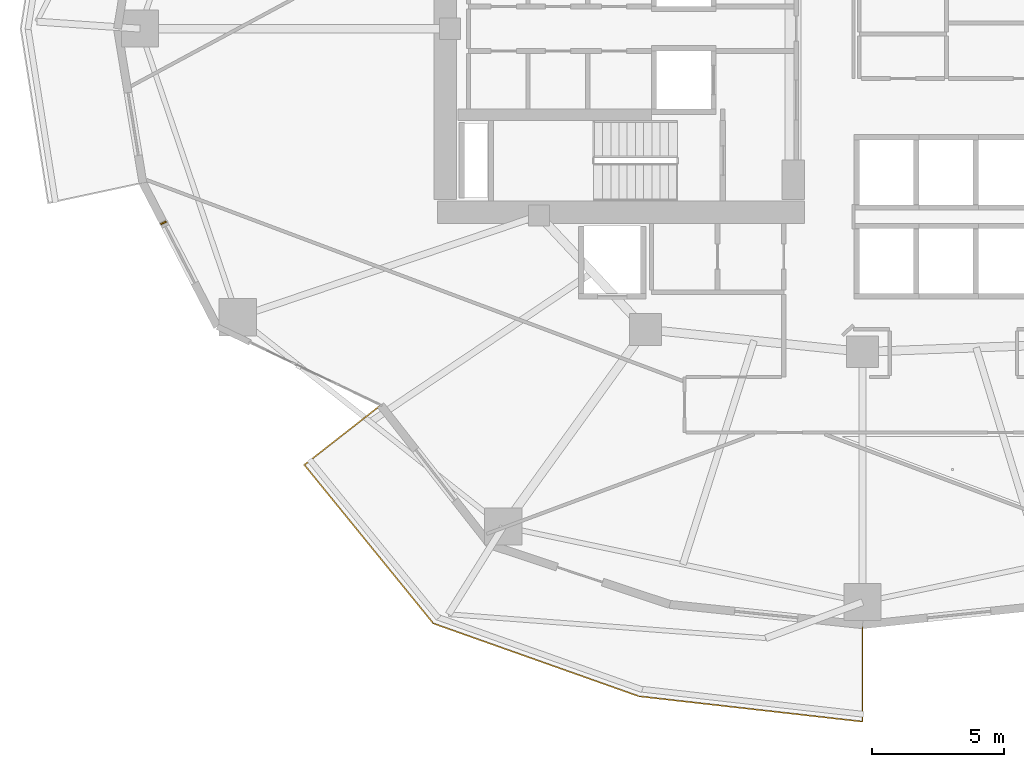
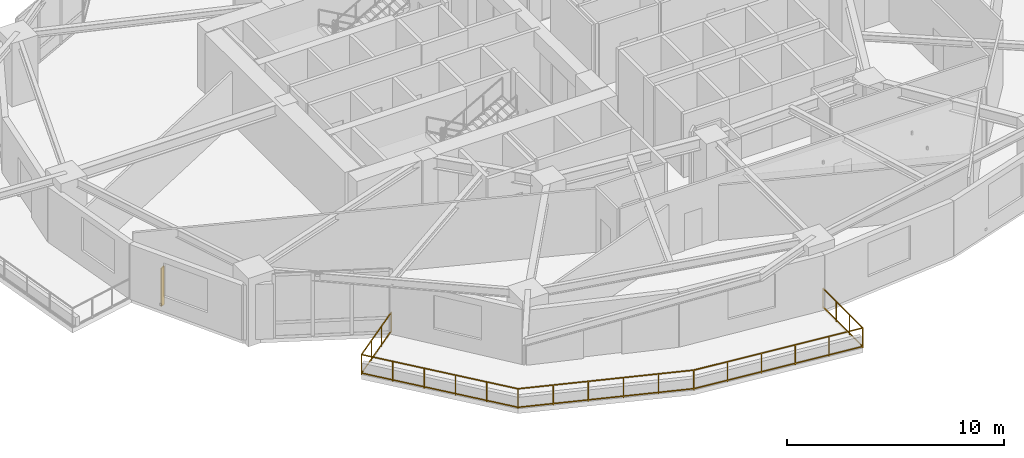
# One storey, part 15 of 19: 1 railing, 1 shading device.
"""IFC4 building model written with IfcOpenShell, lengths in metres."""

from ifc_helpers import new_model, si_unit, direction, frame, origin, origin_2d, place, context, subcontext, project, spatial, rectangle, extrude, material, type_object, element, save


model = new_model("IFC4")

# Units and contexts
model_context = context("Model", 3, precision=1e-05, world=origin(), true_north=direction((0.0, 1.0)))
body_context = subcontext(model_context, "Body", "Model", "MODEL_VIEW")
ifc_project = project(units=[si_unit("LENGTHUNIT", "METRE"), si_unit("AREAUNIT", "SQUARE_METRE"), si_unit("VOLUMEUNIT", "CUBIC_METRE"), si_unit("PLANEANGLEUNIT", "RADIAN"), si_unit("MASSUNIT", "GRAM", prefix="KILO")], contexts=[model_context])

# Site, building, storey
site_placement = place(None, origin())
site = spatial("IfcSite", under=ifc_project, at=site_placement, CompositionType="ELEMENT")
building_placement = place(site_placement, origin())
building = spatial("IfcBuilding", under=site, at=building_placement, Name="Kolvaren Gate Tower and Convention Centre", CompositionType="ELEMENT")
storey_placement = place(building_placement, frame((0.0, 0.0, 38.050048828125)))
storey = spatial("IfcBuildingStorey", under=building, at=storey_placement, Name="L08", CompositionType="ELEMENT", Elevation=38.050048828125)

# Railing
ifc_material_1 = material(Name="Brushed Stainless Steel Grade 316L", Category="steel")
railing_type = type_object("IfcRailingType", Name="ARCH-RL-GUARD-1150", PredefinedType="GUARDRAIL", material=ifc_material_1)
railing_placement = place(storey_placement, frame((11.934814453125, 12.787109375, 0.0)))
element("IfcRailing", 1, at=railing_placement, inside=storey, type_object=railing_type, Name="Tower L08 Terrace Perimeter Guardrail GR-3", PredefinedType="GUARDRAIL", context=body_context, shape_type="SweptSolid", body=[
    extrude(rectangle(XDim=0.048095703125, YDim=0.048095703125, at=origin_2d()), frame((-0.022216796875, -0.017333984375, 1.1259765625), z_axis=(-0.787988976981, -0.61568934712, 0.0), x_axis=(0.61568934712, -0.787988976981, 0.0)), (0.0, 0.0, 1.0), 3.60400390625),
    extrude(rectangle(XDim=0.048095703125, YDim=0.048095703125, at=origin_2d()), frame((-0.022216796875, -0.017333984375, 0.083984375), z_axis=(-0.787988976981, -0.61568934712, 0.0), x_axis=(0.61568934712, -0.787988976981, 0.0)), (0.0, 0.0, 1.0), 3.60400390625),
    extrude(rectangle(XDim=0.048095703125, YDim=0.048095703125, at=origin_2d()), frame((-2.866455078125, -2.275146484375, 1.1259765625), z_axis=(0.631012936188, -0.775772308324, 0.0), x_axis=(0.775772308324, 0.631012936188, 0.0)), (0.0, 0.0, 1.0), 7.661376953125),
    extrude(rectangle(XDim=0.048095703125, YDim=0.048095703125, at=origin_2d()), frame((-2.866455078125, -2.275146484375, 0.083984375), z_axis=(0.631012936188, -0.775772308324, 0.0), x_axis=(0.775772308324, 0.631012936188, 0.0)), (0.0, 0.0, 1.0), 7.661376953125),
    extrude(rectangle(XDim=0.048095703125, YDim=0.048095703125, at=origin_2d()), frame((2.01220703125, -8.249755859375, 1.1259765625), z_axis=(0.942581348797, -0.333976647237, 0.0), x_axis=(0.333976647237, 0.942581348797, 0.0)), (0.0, 0.0, 1.0), 8.179443359375),
    extrude(rectangle(XDim=0.048095703125, YDim=0.048095703125, at=origin_2d()), frame((2.01220703125, -8.249755859375, 0.083984375), z_axis=(0.942581348797, -0.333976647237, 0.0), x_axis=(0.333976647237, 0.942581348797, 0.0)), (0.0, 0.0, 1.0), 8.179443359375),
    extrude(rectangle(XDim=0.048095703125, YDim=0.048095703125, at=origin_2d()), frame((9.7763671875, -10.994140625, 1.1259765625), z_axis=(0.99364775515, -0.11253505536, 0.0), x_axis=(0.11253505536, 0.99364775515, 0.0)), (0.0, 0.0, 1.0), 8.439453125),
    extrude(rectangle(XDim=0.048095703125, YDim=0.048095703125, at=origin_2d()), frame((9.7763671875, -10.994140625, 0.083984375), z_axis=(0.99364775515, -0.11253505536, 0.0), x_axis=(0.11253505536, 0.99364775515, 0.0)), (0.0, 0.0, 1.0), 8.439453125),
    extrude(rectangle(XDim=0.048095703125, YDim=0.048095703125, at=origin_2d()), frame((18.190185546875, -11.9189453125, 1.1259765625), z_axis=(0.0, 1.0, 0.0), x_axis=(-1.0, 0.0, 0.0)), (0.0, 0.0, 1.0), 3.603759765625),
    extrude(rectangle(XDim=0.048095703125, YDim=0.048095703125, at=origin_2d()), frame((18.190185546875, -11.9189453125, 0.083984375), z_axis=(0.0, 1.0, 0.0), x_axis=(-1.0, 0.0, 0.0)), (0.0, 0.0, 1.0), 3.603759765625),
    extrude(rectangle(XDim=0.0419921875, YDim=0.0419921875, at=origin_2d()), origin(), (0.0, 0.0, 1.0), 1.14990234375),
    extrude(rectangle(XDim=0.0419921875, YDim=0.0419921875, at=origin_2d()), frame((-2.884033203125, -2.25341796875, 0.0)), (0.0, 0.0, 1.0), 1.14990234375),
    extrude(rectangle(XDim=0.0419921875, YDim=0.0419921875, at=origin_2d()), frame((-0.96142578125, -0.751220703125, 0.0)), (0.0, 0.0, 1.0), 1.099853515625),
    extrude(rectangle(XDim=0.0419921875, YDim=0.0419921875, at=origin_2d()), frame((-1.922607421875, -1.502197265625, 0.0)), (0.0, 0.0, 1.0), 1.099853515625),
    extrude(rectangle(XDim=0.0419921875, YDim=0.0419921875, at=origin_2d()), frame((1.98583984375, -8.240478515625, 0.0)), (0.0, 0.0, 1.0), 1.14990234375),
    extrude(rectangle(XDim=0.0419921875, YDim=0.0419921875, at=origin_2d()), frame((-1.91015625, -3.450927734375, 0.0)), (0.0, 0.0, 1.0), 1.099853515625),
    extrude(rectangle(XDim=0.0419921875, YDim=0.0419921875, at=origin_2d()), frame((-0.93603515625, -4.648193359375, 0.0)), (0.0, 0.0, 1.0), 1.099853515625),
    extrude(rectangle(XDim=0.0419921875, YDim=0.0419921875, at=origin_2d()), frame((0.037841796875, -5.845703125, 0.0)), (0.0, 0.0, 1.0), 1.099853515625),
    extrude(rectangle(XDim=0.0419921875, YDim=0.0419921875, at=origin_2d()), frame((1.011962890625, -7.04296875, 0.0)), (0.0, 0.0, 1.0), 1.099853515625),
    extrude(rectangle(XDim=0.0419921875, YDim=0.0419921875, at=origin_2d()), frame((9.74853515625, -10.990966796875, 0.0)), (0.0, 0.0, 1.0), 1.14990234375),
    extrude(rectangle(XDim=0.0419921875, YDim=0.0419921875, at=origin_2d()), frame((3.538330078125, -8.79052734375, 0.0)), (0.0, 0.0, 1.0), 1.099853515625),
    extrude(rectangle(XDim=0.0419921875, YDim=0.0419921875, at=origin_2d()), frame((5.0908203125, -9.340576171875, 0.0)), (0.0, 0.0, 1.0), 1.099853515625),
    extrude(rectangle(XDim=0.0419921875, YDim=0.0419921875, at=origin_2d()), frame((6.6435546875, -9.890869140625, 0.0)), (0.0, 0.0, 1.0), 1.099853515625),
    extrude(rectangle(XDim=0.0419921875, YDim=0.0419921875, at=origin_2d()), frame((8.196044921875, -10.44091796875, 0.0)), (0.0, 0.0, 1.0), 1.099853515625),
    extrude(rectangle(XDim=0.0419921875, YDim=0.0419921875, at=origin_2d()), frame((18.190185546875, -11.947021484375, 0.0)), (0.0, 0.0, 1.0), 1.14990234375),
    extrude(rectangle(XDim=0.0419921875, YDim=0.0419921875, at=origin_2d()), frame((11.436767578125, -11.18212890625, 0.0)), (0.0, 0.0, 1.0), 1.099853515625),
    extrude(rectangle(XDim=0.0419921875, YDim=0.0419921875, at=origin_2d()), frame((13.125244140625, -11.373291015625, 0.0)), (0.0, 0.0, 1.0), 1.099853515625),
    extrude(rectangle(XDim=0.0419921875, YDim=0.0419921875, at=origin_2d()), frame((14.8134765625, -11.564697265625, 0.0)), (0.0, 0.0, 1.0), 1.099853515625),
    extrude(rectangle(XDim=0.0419921875, YDim=0.0419921875, at=origin_2d()), frame((16.501953125, -11.755859375, 0.0)), (0.0, 0.0, 1.0), 1.099853515625),
    extrude(rectangle(XDim=0.0419921875, YDim=0.0419921875, at=origin_2d()), frame((18.190185546875, -8.287109375, 0.0)), (0.0, 0.0, 1.0), 1.14990234375),
    extrude(rectangle(XDim=0.0419921875, YDim=0.0419921875, at=origin_2d()), frame((18.190185546875, -10.72705078125, 0.0)), (0.0, 0.0, 1.0), 1.099853515625),
    extrude(rectangle(XDim=0.0419921875, YDim=0.0419921875, at=origin_2d()), frame((18.190185546875, -9.507080078125, 0.0)), (0.0, 0.0, 1.0), 1.099853515625),
])

# Shading device
ifc_material_2 = material(Name="Kiln-Fired Bogota Terracotta Ceramic Louvre Profile", Category="masonry")
shading_device_type = type_object("IfcShadingDeviceType", Name="ARCH-SHD-FIN-180", PredefinedType="JALOUSIE", material=ifc_material_2)
shading_device_placement = place(storey_placement, frame((3.737548828125, 19.67138671875, 0.219970703125), z_axis=(0.0, 0.0, 1.0), x_axis=(0.459789110083, -0.888028138208, 0.0)))
element("IfcShadingDevice", 2, at=shading_device_placement, inside=storey, type_object=shading_device_type, Name="Ceramic Vertical Brise-Soleil Fin FN-L08-13", PredefinedType="JALOUSIE", context=body_context, shape_type="SweptSolid", body=[
    extrude(rectangle(XDim=0.06005859375, YDim=0.239990234375, at=origin_2d()), origin(), (0.0, 0.0, 1.0), 2.14990234375),
])

save(model, "model.ifc")
